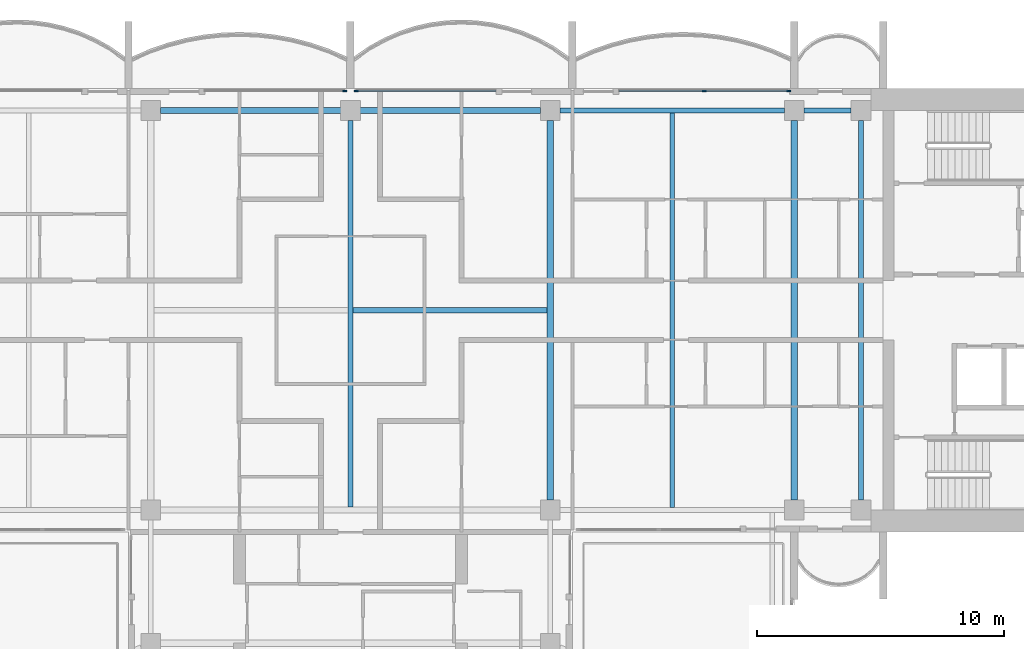
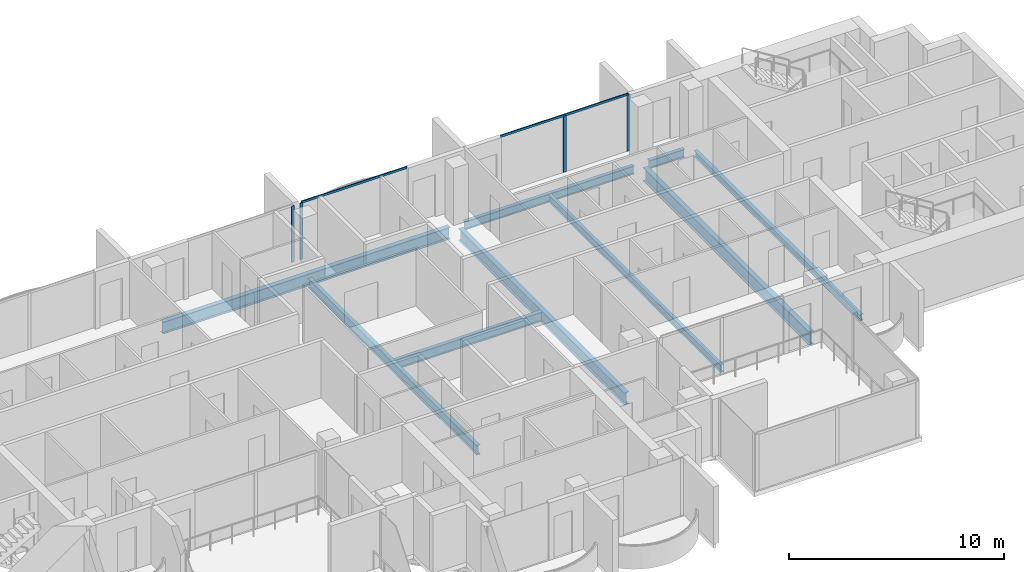
# One storey, part 4 of 16: 9 beams, 6 members, 3 elements without a shape of their own.
"""IFC4 building model written with IfcOpenShell, lengths in metres."""

import ifcopenshell
import ifcopenshell.guid

model = None  # the IFC model being written
_history = None  # IfcOwnerHistory: only IFC2X3 demands one
_inside = {}  # id of a spatial element -> (the spatial element, [elements in it])
_under = {}  # id of a project, library or spatial element -> (it, [spatial elements below it])
_declared = {}  # id of a project -> (the project, [libraries it declares])
_typed = {}  # id of a type object -> (the type object, [elements of that type])
_made_of = {}  # id of a material, layer set ... -> (it, [elements and type objects made of it])


def new_model(schema):
    """Start an empty IFC model of exactly this schema.

    Asked for "IFC4X3", IfcOpenShell would pick the latest addendum, in which some entities
    have other attributes; the version numbers below select the first issue.
    IFC2X3 requires an IfcOwnerHistory on every rooted entity: one is made here for all.
    """
    global model, _history
    if schema == "IFC4X3":
        model = ifcopenshell.file(schema_version=(4, 3, 0, 0))
    else:
        model = ifcopenshell.file(schema=schema)
    _inside.clear()
    _under.clear()
    _declared.clear()
    _typed.clear()
    _made_of.clear()
    _history = None
    if model.schema == "IFC2X3":
        org = make("IfcOrganization", Name="unknown")
        user = make(
            "IfcPersonAndOrganization",
            ThePerson=make("IfcPerson", FamilyName="unknown"),
            TheOrganization=org,
        )
        app = make(
            "IfcApplication",
            ApplicationDeveloper=org,
            Version="unknown",
            ApplicationFullName="unknown",
            ApplicationIdentifier="unknown",
        )
        _history = make(
            "IfcOwnerHistory",
            OwningUser=user,
            OwningApplication=app,
            ChangeAction="ADDED",
            CreationDate=0,
        )
    return model


def make(cls, **values):
    """One entity of the class cls with the attributes given. An attribute that is None is left unset."""
    return model.create_entity(
        cls, **{name: value for name, value in values.items() if value is not None}
    )


def rooted(cls, **values):
    """An entity with a GlobalId (a new one), such as an element, a storey or a relation."""
    return make(cls, GlobalId=ifcopenshell.guid.new(), OwnerHistory=_history, **values)


def si_unit(unit_type, name, prefix=None):
    """IfcSIUnit, for example si_unit("LENGTHUNIT", "METRE", prefix="MILLI")."""
    return make("IfcSIUnit", UnitType=unit_type, Prefix=prefix, Name=name)


def assignment(units):
    """IfcUnitAssignment: the units of a project."""
    return None if units is None else make("IfcUnitAssignment", Units=units)


def point(xyz):
    """IfcCartesianPoint."""
    return None if xyz is None else make("IfcCartesianPoint", Coordinates=xyz)


def direction(xyz):
    """IfcDirection."""
    return None if xyz is None else make("IfcDirection", DirectionRatios=xyz)


def frame(location, z_axis=None, x_axis=None):
    """IfcAxis2Placement3D, a coordinate frame: its origin and axes. An axis left out is left unset."""
    return make(
        "IfcAxis2Placement3D",
        Location=point(location),
        Axis=direction(z_axis),
        RefDirection=direction(x_axis),
    )


def frame_2d(location, x_axis=None):
    """IfcAxis2Placement2D, a coordinate frame in the plane: its origin and x axis."""
    return make(
        "IfcAxis2Placement2D", Location=point(location), RefDirection=direction(x_axis)
    )


def origin():
    """The frame at (0, 0, 0) with its axes left unset."""
    return frame((0.0, 0.0, 0.0))


def origin_2d():
    """The frame at (0, 0) in the plane with its x axis left unset."""
    return frame_2d((0.0, 0.0))


def place(relative_to, where):
    """IfcLocalPlacement: puts the frame where relative to a parent placement (None: the world)."""
    return make(
        "IfcLocalPlacement", PlacementRelTo=relative_to, RelativePlacement=where
    )


def context(
    kind, dimensions, precision=None, world=None, true_north=None, identifier=None
):
    """IfcGeometricRepresentationContext, for example the 3D "Model" context."""
    return make(
        "IfcGeometricRepresentationContext",
        ContextIdentifier=identifier,
        ContextType=kind,
        CoordinateSpaceDimension=dimensions,
        Precision=precision,
        WorldCoordinateSystem=world,
        TrueNorth=true_north,
    )


def subcontext(parent, identifier, kind, view, scale=None):
    """IfcGeometricRepresentationSubContext, for example "Body" below "Model"."""
    return make(
        "IfcGeometricRepresentationSubContext",
        ContextIdentifier=identifier,
        ContextType=kind,
        ParentContext=parent,
        TargetScale=scale,
        TargetView=view,
    )


def project(units=None, contexts=None):
    """IfcProject with its units and contexts."""
    return rooted(
        "IfcProject",
        Name="project",
        RepresentationContexts=contexts,
        UnitsInContext=assignment(units),
    )


def spatial(cls, under=None, at=None, **own):
    """A site, building, storey or space (cls), placed at a placement, below another one or the project."""
    s = rooted(cls, ObjectPlacement=at, **own)
    if under is not None:
        _under.setdefault(under.id(), (under, []))[1].append(s)
    return s


def profile(cls, at=None, kind="AREA", **sizes):
    """A parametric profile (cls). Its sizes go by their IFC names, for example OverallWidth=200.0."""
    return make(cls, ProfileType=kind, Position=at, **sizes)


def rectangle(**sizes):
    """IfcRectangleProfileDef."""
    return profile("IfcRectangleProfileDef", **sizes)


def i_section(**sizes):
    """IfcIShapeProfileDef."""
    return profile("IfcIShapeProfileDef", **sizes)


def extrude(swept, where, along, depth):
    """IfcExtrudedAreaSolid: the profile swept, set in the frame where, extruded along a direction by depth."""
    return make(
        "IfcExtrudedAreaSolid",
        SweptArea=swept,
        Position=where,
        ExtrudedDirection=direction(along),
        Depth=depth,
    )


def shape(context_of_items, identifier, shape_type, items):
    """IfcShapeRepresentation: the items that make up one representation, for example the "Body"."""
    return make(
        "IfcShapeRepresentation",
        ContextOfItems=context_of_items,
        RepresentationIdentifier=identifier,
        RepresentationType=shape_type,
        Items=items,
    )


def material(Name=None, Category=None):
    """IfcMaterial."""
    return make("IfcMaterial", Name=Name, Category=Category)


def material_profile(
    of_material, cross_section, Name=None, Category=None, Priority=None
):
    """IfcMaterialProfile: a cross section and its material."""
    return make(
        "IfcMaterialProfile",
        Name=Name,
        Material=of_material,
        Profile=cross_section,
        Priority=Priority,
        Category=Category,
    )


def profile_set(profiles, Name=None, composite=None):
    """IfcMaterialProfileSet."""
    return make(
        "IfcMaterialProfileSet",
        Name=Name,
        MaterialProfiles=profiles,
        CompositeProfile=composite,
    )


def made_of(thing, what):
    """Note that an element or type object is made of a material, layer set ...; save() writes the relation."""
    if what is not None:
        _made_of.setdefault(what.id(), (what, []))[1].append(thing)
    return thing


def type_object(cls, material=None, **own):
    """A type object (cls), such as IfcWallType, which elements share."""
    return made_of(rooted(cls, **own), material)


def element(
    cls,
    number,
    at=None,
    inside=None,
    cuts=None,
    type_object=None,
    material=None,
    context=None,
    identifier="Body",
    shape_type=None,
    held_by="IfcProductDefinitionShape",
    body=None,
    shapes=None,
    **own,
):
    """One element of the class cls, such as IfcWall. Its Tag is "e" and its number.

    at: its placement. inside: the storey or other place that contains it. cuts: it is an
    opening in that element (IfcRelVoidsElement). A single representation is given by context,
    identifier, shape_type and body (its items); several are given by shapes. held_by: the class
    of the entity that holds the representations. save() writes the other relations.
    """
    e = rooted(cls, Tag="e%d" % number, ObjectPlacement=at, **own)
    if body is not None:
        shapes = [shape(context, identifier, shape_type, body)]
    if shapes is not None:
        e.Representation = make(held_by, Representations=shapes)
    if inside is not None:
        _inside.setdefault(inside.id(), (inside, []))[1].append(e)
    if cuts is not None:
        rooted(
            "IfcRelVoidsElement", RelatingBuildingElement=cuts, RelatedOpeningElement=e
        )
    if type_object is not None:
        _typed.setdefault(type_object.id(), (type_object, []))[1].append(e)
    return made_of(e, material)


def aggregate(whole, parts):
    """IfcRelAggregates: a whole, such as a stair, and the parts it consists of."""
    return rooted("IfcRelAggregates", RelatingObject=whole, RelatedObjects=parts)


def save(model, path):
    """Write the relations noted so far, then the file.

    IfcRelAggregates (storeys below a building ...), IfcRelContainedInSpatialStructure (elements
    in a storey), IfcRelDefinesByType, IfcRelAssociatesMaterial and IfcRelDeclares: one each for
    every whole, place, type object, material and project.
    """
    for whole, parts in _under.values():
        aggregate(whole, parts)
    for where, things in _inside.values():
        rooted(
            "IfcRelContainedInSpatialStructure",
            RelatedElements=things,
            RelatingStructure=where,
        )
    for kind, things in _typed.values():
        rooted("IfcRelDefinesByType", RelatedObjects=things, RelatingType=kind)
    for what, things in _made_of.values():
        rooted("IfcRelAssociatesMaterial", RelatedObjects=things, RelatingMaterial=what)
    for by, libraries in _declared.values():
        rooted("IfcRelDeclares", RelatingContext=by, RelatedDefinitions=libraries)
    model.write(path)


model = new_model("IFC4")

# Units and contexts
model_context = context("Model", 3, precision=1e-05, world=origin(), true_north=direction((0.0, 1.0)))
body_context = subcontext(model_context, "Body", "Model", "MODEL_VIEW")
ifc_project = project(units=[si_unit("LENGTHUNIT", "METRE"), si_unit("AREAUNIT", "SQUARE_METRE"), si_unit("VOLUMEUNIT", "CUBIC_METRE"), si_unit("PLANEANGLEUNIT", "RADIAN"), si_unit("MASSUNIT", "GRAM", prefix="KILO")], contexts=[model_context])

# Site, building, storey
site_placement = place(None, origin())
site = spatial("IfcSite", under=ifc_project, at=site_placement, CompositionType="ELEMENT")
building_placement = place(site_placement, origin())
building = spatial("IfcBuilding", under=site, at=building_placement, Name="Perihelion Cross Residences", CompositionType="ELEMENT")
storey_placement = place(building_placement, frame((0.0, 0.0, 243.0)))
storey = spatial("IfcBuildingStorey", under=building, at=storey_placement, Name="L61", CompositionType="ELEMENT", Elevation=243.0)

# Curtain wall, members
ifc_material_1 = material(Name="Bronze anodised aluminium, tinted glazing", Category="aluminium")
curtain_wall_type = type_object("IfcCurtainWallType", Name="CW1", PredefinedType="NOTDEFINED", material=ifc_material_1)
curtain_wall_1_placement = place(storey_placement, origin())
curtain_wall_1 = element("IfcCurtainWall", 1, at=curtain_wall_1_placement, inside=storey, type_object=curtain_wall_type, Name="Curtain wall CW1 L61 east side north bay 2", PredefinedType="NOTDEFINED")
ifc_material_2 = material(Name="Bronze anodised aluminium", Category="aluminium")
ifc_material_profile_1 = material_profile(ifc_material_2, rectangle(XDim=0.06005859375, YDim=0.159912109375, at=origin_2d()), Name="CW1 mullion")
ifc_profile_set_1 = profile_set([ifc_material_profile_1], Name="Bronze anodised aluminium")
member_type_1 = type_object("IfcMemberType", Name="CW1 mullion", PredefinedType="MULLION", material=ifc_profile_set_1)
member_1_placement = place(storey_placement, frame((17.77001953125, 8.89990234375, 0.0), z_axis=(0.0, 0.0, 1.0), x_axis=(0.0, -1.0, 0.0)))
member_1 = element("IfcMember", 2, at=member_1_placement, type_object=member_type_1, Name="CW1 mullion 1", PredefinedType="MULLION", context=body_context, shape_type="SweptSolid", body=[
    extrude(rectangle(XDim=0.06005859375, YDim=0.159912109375, at=origin_2d()), origin(), (0.0, 0.0, 1.0), 3.18994140625),
])
member_2_placement = place(storey_placement, frame((14.35009765625, 8.89990234375, 0.0), z_axis=(0.0, 0.0, 1.0), x_axis=(0.0, -1.0, 0.0)))
member_2 = element("IfcMember", 3, at=member_2_placement, type_object=member_type_1, Name="CW1 mullion 2", PredefinedType="MULLION", context=body_context, shape_type="SweptSolid", body=[
    extrude(rectangle(XDim=0.06005859375, YDim=0.159912109375, at=origin_2d()), origin(), (0.0, 0.0, 1.0), 3.18994140625),
])

# Curtain wall, member
curtain_wall_2_placement = place(storey_placement, origin())
curtain_wall_2 = element("IfcCurtainWall", 4, at=curtain_wall_2_placement, inside=storey, type_object=curtain_wall_type, Name="Curtain wall CW1 L61 north side east bay 1", PredefinedType="NOTDEFINED")
member_3_placement = place(storey_placement, frame((0.22998046875, 8.89990234375, 0.0), z_axis=(0.0, 0.0, 1.0), x_axis=(0.0, -1.0, 0.0)))
member_3 = element("IfcMember", 5, at=member_3_placement, type_object=member_type_1, Name="CW1 mullion 2", PredefinedType="MULLION", context=body_context, shape_type="SweptSolid", body=[
    extrude(rectangle(XDim=0.06005859375, YDim=0.159912109375, at=origin_2d()), origin(), (0.0, 0.0, 1.0), 3.18994140625),
])

curtain_wall_3_placement = place(storey_placement, origin())
curtain_wall_3 = element("IfcCurtainWall", 6, at=curtain_wall_3_placement, inside=storey, type_object=curtain_wall_type, Name="Curtain wall CW1 L61 north side east bay 2", PredefinedType="NOTDEFINED")
member_4_placement = place(storey_placement, frame((-0.22998046875, 8.89990234375, 0.0), z_axis=(0.0, 0.0, 1.0), x_axis=(0.0, -1.0, 0.0)))
member_4 = element("IfcMember", 7, at=member_4_placement, type_object=member_type_1, Name="CW1 mullion 1", PredefinedType="MULLION", context=body_context, shape_type="SweptSolid", body=[
    extrude(rectangle(XDim=0.06005859375, YDim=0.159912109375, at=origin_2d()), origin(), (0.0, 0.0, 1.0), 3.18994140625),
])
aggregate(curtain_wall_3, [member_4])

# Member
ifc_material_3 = material(Name="Bronze anodised aluminium", Category="aluminium")
ifc_material_profile_2 = material_profile(ifc_material_3, rectangle(XDim=0.06005859375, YDim=0.1201171875, at=origin_2d()), Name="CW1 transom")
ifc_profile_set_2 = profile_set([ifc_material_profile_2], Name="Bronze anodised aluminium")
member_type_2 = type_object("IfcMemberType", Name="CW1 transom", PredefinedType="USERDEFINED", material=ifc_profile_set_2)
member_5_placement = place(storey_placement, frame((17.77001953125, 8.89990234375, 3.219970703125), z_axis=(-1.0, 0.0, 0.0), x_axis=(0.0, -1.0, 0.0)))
member_5 = element("IfcMember", 8, at=member_5_placement, type_object=member_type_2, Name="CW1 head transom", ObjectType="TRANSOM", PredefinedType="USERDEFINED", context=body_context, shape_type="SweptSolid", body=[
    extrude(rectangle(XDim=0.06005859375, YDim=0.1201171875, at=origin_2d()), origin(), (0.0, 0.0, 1.0), 6.8701171875),
])

aggregate(curtain_wall_1, [member_1, member_2, member_5])

member_6_placement = place(storey_placement, frame((5.89990234375, 8.89990234375, 3.219970703125), z_axis=(-1.0, 0.0, 0.0), x_axis=(0.0, -1.0, 0.0)))
member_6 = element("IfcMember", 9, at=member_6_placement, type_object=member_type_2, Name="CW1 head transom", ObjectType="TRANSOM", PredefinedType="USERDEFINED", context=body_context, shape_type="SweptSolid", body=[
    extrude(rectangle(XDim=0.06005859375, YDim=0.1201171875, at=origin_2d()), origin(), (0.0, 0.0, 1.0), 5.669921875),
])

aggregate(curtain_wall_2, [member_3, member_6])

# Beams
ifc_material_4 = material(Name="Steel S355", Category="steel")
ifc_material_profile_3 = material_profile(ifc_material_4, i_section(OverallWidth=0.205078125, OverallDepth=0.35302734375, WebThickness=0.009521484375, FlangeThickness=0.016845703125, at=origin_2d()), Name="W360x79")
ifc_profile_set_3 = profile_set([ifc_material_profile_3], Name="Steel S355")
beam_type_1 = type_object("IfcBeamType", Name="Core edge beam W360x79", PredefinedType="BEAM", material=ifc_profile_set_3)
beam_1_placement = place(storey_placement, frame((20.699951171875, -7.699951171875, -0.426513671875), z_axis=(0.0, 1.0, 0.0), x_axis=(-1.0, 0.0, 0.0)))
element("IfcBeam", 10, at=beam_1_placement, inside=storey, type_object=beam_type_1, Name="Core edge beam TB7 L61 no. 2", PredefinedType="BEAM", context=body_context, shape_type="SweptSolid", body=[
    extrude(i_section(OverallWidth=0.205078125, OverallDepth=0.35302734375, WebThickness=0.009521484375, FlangeThickness=0.016845703125, at=origin_2d()), origin(), (0.0, 0.0, 1.0), 15.39990234375),
])
ifc_material_5 = material(Name="Steel S355", Category="steel")
ifc_material_profile_4 = material_profile(ifc_material_5, i_section(OverallWidth=0.194091796875, OverallDepth=0.469970703125, WebThickness=0.0126953125, FlangeThickness=0.0205078125, at=origin_2d()), Name="W460x106")
ifc_profile_set_4 = profile_set([ifc_material_profile_4], Name="Steel S355")
beam_type_2 = type_object("IfcBeamType", Name="Edge beam W460x106", PredefinedType="SPANDREL", material=ifc_profile_set_4)
beam_2_placement = place(storey_placement, frame((20.300048828125, 8.10009765625, -0.485107421875), z_axis=(-1.0, 0.0, 0.0), x_axis=(0.0, -1.0, 0.0)))
element("IfcBeam", 11, at=beam_2_placement, inside=storey, type_object=beam_type_2, Name="Edge beam SB5 L61 no. 10", PredefinedType="SPANDREL", context=body_context, shape_type="SweptSolid", body=[
    extrude(i_section(OverallWidth=0.194091796875, OverallDepth=0.469970703125, WebThickness=0.0126953125, FlangeThickness=0.0205078125, at=origin_2d()), origin(), (0.0, 0.0, 1.0), 1.900146484375),
])
beam_3_placement = place(storey_placement, frame((17.60009765625, 8.10009765625, -0.485107421875), z_axis=(-1.0, 0.0, 0.0), x_axis=(0.0, -1.0, 0.0)))
element("IfcBeam", 12, at=beam_3_placement, inside=storey, type_object=beam_type_2, Name="Edge beam SB5 L61 no. 9", PredefinedType="SPANDREL", context=body_context, shape_type="SweptSolid", body=[
    extrude(i_section(OverallWidth=0.194091796875, OverallDepth=0.469970703125, WebThickness=0.0126953125, FlangeThickness=0.0205078125, at=origin_2d()), origin(), (0.0, 0.0, 1.0), 9.10009765625),
])
ifc_material_6 = material(Name="Steel S355", Category="steel")
ifc_material_profile_5 = material_profile(ifc_material_6, i_section(OverallWidth=0.26708984375, OverallDepth=0.75390625, WebThickness=0.01318359375, FlangeThickness=0.01708984375, at=origin_2d()), Name="W760x147")
ifc_profile_set_5 = profile_set([ifc_material_profile_5], Name="Steel S355")
beam_type_3 = type_object("IfcBeamType", Name="Floor girder W760x147", PredefinedType="BEAM", material=ifc_profile_set_5)
beam_4_placement = place(storey_placement, frame((18.0, -7.699951171875, -0.626953125), z_axis=(0.0, 1.0, 0.0), x_axis=(-1.0, 0.0, 0.0)))
element("IfcBeam", 13, at=beam_4_placement, inside=storey, type_object=beam_type_3, Name="Girder G5 L61 no. 2", PredefinedType="BEAM", context=body_context, shape_type="SweptSolid", body=[
    extrude(i_section(OverallWidth=0.26708984375, OverallDepth=0.75390625, WebThickness=0.01318359375, FlangeThickness=0.01708984375, at=origin_2d()), origin(), (0.0, 0.0, 1.0), 15.39990234375),
])
ifc_material_7 = material(Name="Steel S355", Category="steel")
ifc_material_profile_6 = material_profile(ifc_material_7, i_section(OverallWidth=0.177978515625, OverallDepth=0.406005859375, WebThickness=0.0078125, FlangeThickness=0.0126953125, at=origin_2d()), Name="W410x60")
ifc_profile_set_6 = profile_set([ifc_material_profile_6], Name="Steel S355")
beam_type_4 = type_object("IfcBeamType", Name="Floor joist W410x60", PredefinedType="JOIST", material=ifc_profile_set_6)
beam_5_placement = place(storey_placement, frame((13.050048828125, -8.0029296875, -0.452880859375), z_axis=(0.0, 1.0, 0.0), x_axis=(-1.0, 0.0, 0.0)))
element("IfcBeam", 14, at=beam_5_placement, inside=storey, type_object=beam_type_4, Name="Joist J6 L61 no. 2", PredefinedType="JOIST", context=body_context, shape_type="SweptSolid", body=[
    extrude(i_section(OverallWidth=0.177978515625, OverallDepth=0.406005859375, WebThickness=0.0078125, FlangeThickness=0.0126953125, at=origin_2d()), origin(), (0.0, 0.0, 1.0), 16.005859375),
])
ifc_material_8 = material(Name="Steel S355", Category="steel")
ifc_material_profile_7 = material_profile(ifc_material_8, i_section(OverallWidth=0.208984375, OverallDepth=0.532958984375, WebThickness=0.01025390625, FlangeThickness=0.015625, at=origin_2d()), Name="W530x92")
ifc_profile_set_7 = profile_set([ifc_material_profile_7], Name="Steel S355")
beam_type_5 = type_object("IfcBeamType", Name="Hub cross beam W530x92", PredefinedType="BEAM", material=ifc_profile_set_7)
beam_6_placement = place(storey_placement, frame((0.0, -7.972900390625, -0.5166015625), z_axis=(0.0, 1.0, 0.0), x_axis=(-1.0, 0.0, 0.0)))
element("IfcBeam", 15, at=beam_6_placement, inside=storey, type_object=beam_type_5, Name="Hub cross beam XB5 L61 no. 1", PredefinedType="BEAM", context=body_context, shape_type="SweptSolid", body=[
    extrude(i_section(OverallWidth=0.208984375, OverallDepth=0.532958984375, WebThickness=0.01025390625, FlangeThickness=0.015625, at=origin_2d()), origin(), (0.0, 0.0, 1.0), 15.6728515625),
])
beam_7_placement = place(storey_placement, frame((0.1044921875, 0.0, -0.5166015625), z_axis=(1.0, 0.0, 0.0), x_axis=(0.0, 1.0, 0.0)))
element("IfcBeam", 16, at=beam_7_placement, inside=storey, type_object=beam_type_5, Name="Hub cross beam XB5 L61 2 no. 1", PredefinedType="BEAM", context=body_context, shape_type="SweptSolid", body=[
    extrude(i_section(OverallWidth=0.208984375, OverallDepth=0.532958984375, WebThickness=0.01025390625, FlangeThickness=0.015625, at=origin_2d()), origin(), (0.0, 0.0, 1.0), 7.868408203125),
])
ifc_material_9 = material(Name="Steel S355", Category="steel")
ifc_material_profile_8 = material_profile(ifc_material_9, i_section(OverallWidth=0.25390625, OverallDepth=0.677978515625, WebThickness=0.01171875, FlangeThickness=0.016357421875, at=origin_2d()), Name="W690x125")
ifc_profile_set_8 = profile_set([ifc_material_profile_8], Name="Steel S355")
beam_type_6 = type_object("IfcBeamType", Name="Hub ring girder W690x125", PredefinedType="BEAM", material=ifc_profile_set_8)
for number, where, z_axis, x_axis, name in (
    (17, (8.10009765625, -7.699951171875, -0.589111328125), (0.0, 1.0, 0.0), (-1.0, 0.0, 0.0), "Hub ring girder RG5 L61 no. 3"),
    (18, (7.699951171875, 8.10009765625, -0.589111328125), (-1.0, 0.0, 0.0), (0.0, -1.0, 0.0), "Hub ring girder RG5 L61 no. 4"),
):
    element("IfcBeam", number, at=place(storey_placement, frame(where, z_axis=z_axis, x_axis=x_axis)), inside=storey, type_object=beam_type_6, Name=name, PredefinedType="BEAM", context=body_context, shape_type="SweptSolid", body=[
        extrude(i_section(OverallWidth=0.25390625, OverallDepth=0.677978515625, WebThickness=0.01171875, FlangeThickness=0.016357421875, at=origin_2d()), origin(), (0.0, 0.0, 1.0), 15.39990234375),
    ])

save(model, "model.ifc")
